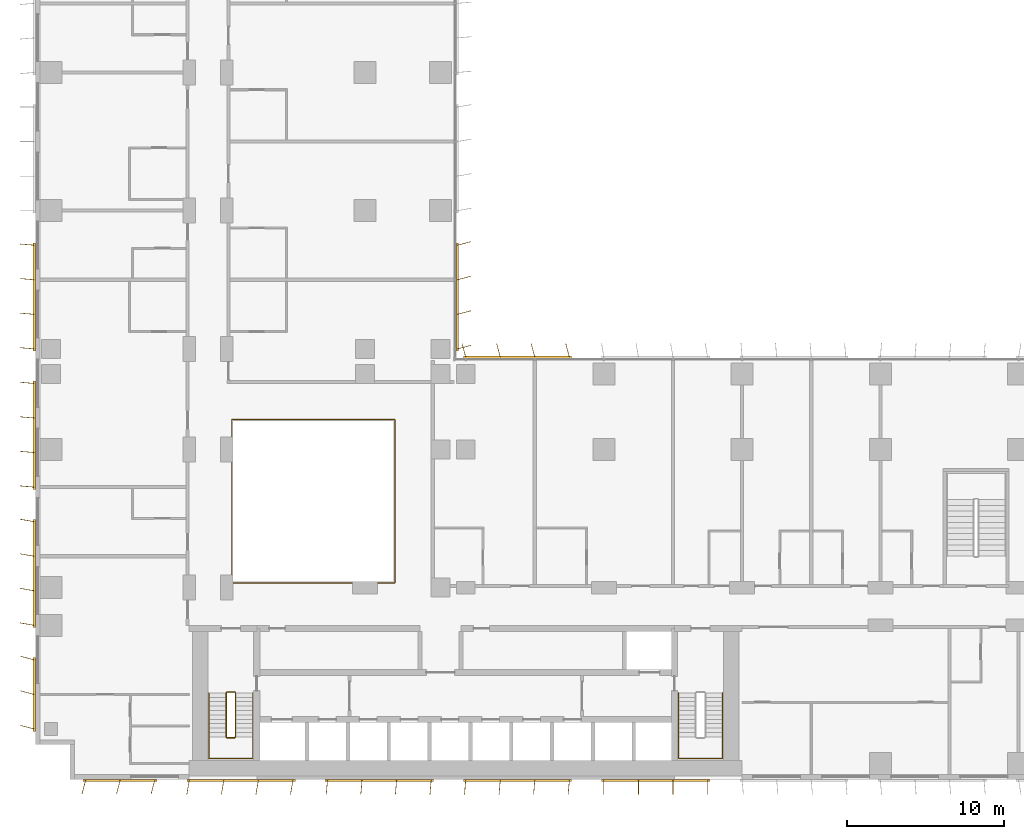
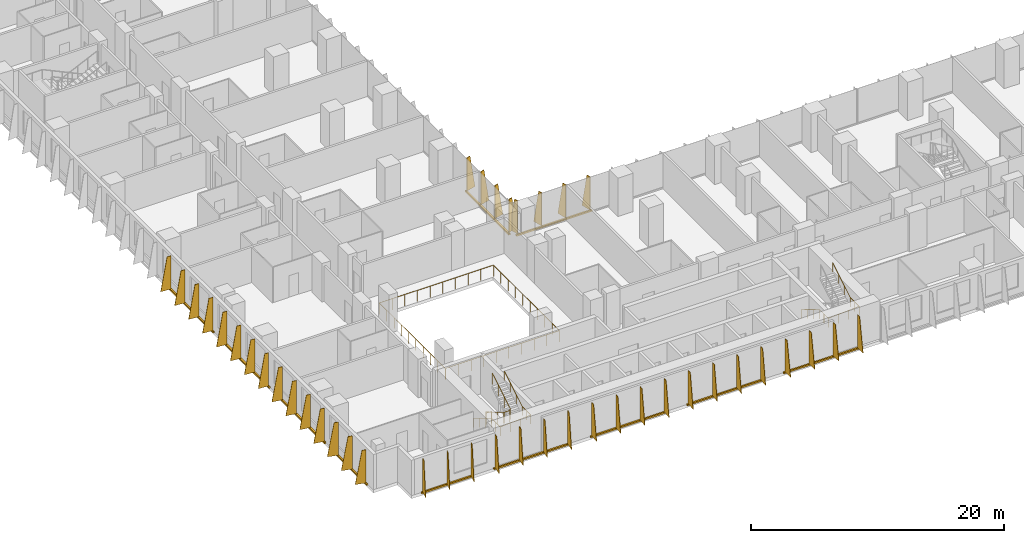
# One storey, part 21 of 24: 11 shading devices, 4 railings.
"""IFC4 building model written with IfcOpenShell, lengths in metres."""

from ifc_helpers import new_model, si_unit, direction, frame, origin, origin_2d, place, context, subcontext, project, spatial, polyline, rectangle, circle, outline, extrude, source, transform, mapped, material, layer, layer_set, type_object, element, save


model = new_model("IFC4")

# Units and contexts
model_context = context("Model", 3, precision=1e-05, world=origin(), true_north=direction((0.0, 1.0)))
body_context = subcontext(model_context, "Body", "Model", "MODEL_VIEW")
ifc_project = project(units=[si_unit("LENGTHUNIT", "METRE"), si_unit("AREAUNIT", "SQUARE_METRE"), si_unit("VOLUMEUNIT", "CUBIC_METRE"), si_unit("PLANEANGLEUNIT", "RADIAN"), si_unit("MASSUNIT", "GRAM", prefix="KILO")], contexts=[model_context])

# Site, building, storey
site_placement = place(None, origin())
site = spatial("IfcSite", under=ifc_project, at=site_placement, CompositionType="ELEMENT")
building_placement = place(site_placement, origin())
building = spatial("IfcBuilding", under=site, at=building_placement, Name="Kemantara Hotel Tower", CompositionType="ELEMENT")
storey_placement = place(building_placement, frame((0.0, 0.0, 48.800048828125)))
storey = spatial("IfcBuildingStorey", under=building, at=storey_placement, Name="L10", CompositionType="ELEMENT", Elevation=48.800048828125)

# Railings
ifc_material_1 = material(Name="Stainless steel and laminated glass balustrade", Category="steel")
railing_type_1 = type_object("IfcRailingType", Name="ATRIUM GUARD 1100", PredefinedType="GUARDRAIL", material=ifc_material_1)
railing_1_placement = place(storey_placement, frame((12.56005859375, 12.5, 0.0)))
element("IfcRailing", 1, at=railing_1_placement, inside=storey, type_object=railing_type_1, Name="ATRIUM GUARD L10", PredefinedType="GUARDRAIL", context=body_context, shape_type="SweptSolid", body=[
    extrude(circle(Radius=0.02490234375, at=origin_2d()), frame((0.0, 0.0, 1.0751953125), z_axis=(1.0, 0.0, 0.0), x_axis=(0.0, 1.0, 0.0)), (0.0, 0.0, 1.0), 10.33984375),
    extrude(circle(Radius=0.02490234375, at=origin_2d()), frame((10.33984375, 0.0, 1.0751953125), z_axis=(0.0, 1.0, 0.0), x_axis=(-1.0, 0.0, 0.0)), (0.0, 0.0, 1.0), 10.39990234375),
    extrude(circle(Radius=0.02490234375, at=origin_2d()), frame((10.33984375, 10.39990234375, 1.0751953125), z_axis=(-1.0, 0.0, 0.0), x_axis=(0.0, -1.0, 0.0)), (0.0, 0.0, 1.0), 10.39990234375),
    extrude(circle(Radius=0.02490234375, at=origin_2d()), frame((-0.06005859375, 10.39990234375, 1.0751953125), z_axis=(0.0, -1.0, 0.0), x_axis=(1.0, 0.0, 0.0)), (0.0, 0.0, 1.0), 10.39990234375),
    extrude(circle(Radius=0.02001953125, at=origin_2d()), origin(), (0.0, 0.0, 1.0), 1.050048828125),
    extrude(circle(Radius=0.02001953125, at=origin_2d()), frame((1.14892578125, 0.0, 0.0)), (0.0, 0.0, 1.0), 1.050048828125),
    extrude(circle(Radius=0.02001953125, at=origin_2d()), frame((2.2978515625, 0.0, 0.0)), (0.0, 0.0, 1.0), 1.050048828125),
    extrude(circle(Radius=0.02001953125, at=origin_2d()), frame((3.446533203125, 0.0, 0.0)), (0.0, 0.0, 1.0), 1.050048828125),
    extrude(circle(Radius=0.02001953125, at=origin_2d()), frame((4.595458984375, 0.0, 0.0)), (0.0, 0.0, 1.0), 1.050048828125),
    extrude(circle(Radius=0.02001953125, at=origin_2d()), frame((5.744384765625, 0.0, 0.0)), (0.0, 0.0, 1.0), 1.050048828125),
    extrude(circle(Radius=0.02001953125, at=origin_2d()), frame((6.893310546875, 0.0, 0.0)), (0.0, 0.0, 1.0), 1.050048828125),
    extrude(circle(Radius=0.02001953125, at=origin_2d()), frame((8.0419921875, 0.0, 0.0)), (0.0, 0.0, 1.0), 1.050048828125),
    extrude(circle(Radius=0.02001953125, at=origin_2d()), frame((9.19091796875, 0.0, 0.0)), (0.0, 0.0, 1.0), 1.050048828125),
    extrude(circle(Radius=0.02001953125, at=origin_2d()), frame((10.33984375, 0.0, 0.0)), (0.0, 0.0, 1.0), 1.050048828125),
    extrude(circle(Radius=0.02001953125, at=origin_2d()), frame((10.33984375, 1.155517578125, 0.0)), (0.0, 0.0, 1.0), 1.050048828125),
    extrude(circle(Radius=0.02001953125, at=origin_2d()), frame((10.33984375, 2.31103515625, 0.0)), (0.0, 0.0, 1.0), 1.050048828125),
    extrude(circle(Radius=0.02001953125, at=origin_2d()), frame((10.33984375, 3.466552734375, 0.0)), (0.0, 0.0, 1.0), 1.050048828125),
    extrude(circle(Radius=0.02001953125, at=origin_2d()), frame((10.33984375, 4.6220703125, 0.0)), (0.0, 0.0, 1.0), 1.050048828125),
    extrude(circle(Radius=0.02001953125, at=origin_2d()), frame((10.33984375, 5.77783203125, 0.0)), (0.0, 0.0, 1.0), 1.050048828125),
    extrude(circle(Radius=0.02001953125, at=origin_2d()), frame((10.33984375, 6.933349609375, 0.0)), (0.0, 0.0, 1.0), 1.050048828125),
    extrude(circle(Radius=0.02001953125, at=origin_2d()), frame((10.33984375, 8.0888671875, 0.0)), (0.0, 0.0, 1.0), 1.050048828125),
    extrude(circle(Radius=0.02001953125, at=origin_2d()), frame((10.33984375, 9.244384765625, 0.0)), (0.0, 0.0, 1.0), 1.050048828125),
    extrude(circle(Radius=0.02001953125, at=origin_2d()), frame((10.33984375, 10.39990234375, 0.0)), (0.0, 0.0, 1.0), 1.050048828125),
    extrude(circle(Radius=0.02001953125, at=origin_2d()), frame((9.184326171875, 10.39990234375, 0.0)), (0.0, 0.0, 1.0), 1.050048828125),
    extrude(circle(Radius=0.02001953125, at=origin_2d()), frame((8.02880859375, 10.39990234375, 0.0)), (0.0, 0.0, 1.0), 1.050048828125),
    extrude(circle(Radius=0.02001953125, at=origin_2d()), frame((6.873291015625, 10.39990234375, 0.0)), (0.0, 0.0, 1.0), 1.050048828125),
    extrude(circle(Radius=0.02001953125, at=origin_2d()), frame((5.7177734375, 10.39990234375, 0.0)), (0.0, 0.0, 1.0), 1.050048828125),
    extrude(circle(Radius=0.02001953125, at=origin_2d()), frame((4.56201171875, 10.39990234375, 0.0)), (0.0, 0.0, 1.0), 1.050048828125),
    extrude(circle(Radius=0.02001953125, at=origin_2d()), frame((3.406494140625, 10.39990234375, 0.0)), (0.0, 0.0, 1.0), 1.050048828125),
    extrude(circle(Radius=0.02001953125, at=origin_2d()), frame((2.2509765625, 10.39990234375, 0.0)), (0.0, 0.0, 1.0), 1.050048828125),
    extrude(circle(Radius=0.02001953125, at=origin_2d()), frame((1.095458984375, 10.39990234375, 0.0)), (0.0, 0.0, 1.0), 1.050048828125),
    extrude(circle(Radius=0.02001953125, at=origin_2d()), frame((-0.06005859375, 10.39990234375, 0.0)), (0.0, 0.0, 1.0), 1.050048828125),
    extrude(circle(Radius=0.02001953125, at=origin_2d()), frame((-0.06005859375, 9.244384765625, 0.0)), (0.0, 0.0, 1.0), 1.050048828125),
    extrude(circle(Radius=0.02001953125, at=origin_2d()), frame((-0.06005859375, 8.0888671875, 0.0)), (0.0, 0.0, 1.0), 1.050048828125),
    extrude(circle(Radius=0.02001953125, at=origin_2d()), frame((-0.06005859375, 6.933349609375, 0.0)), (0.0, 0.0, 1.0), 1.050048828125),
    extrude(circle(Radius=0.02001953125, at=origin_2d()), frame((-0.06005859375, 5.77783203125, 0.0)), (0.0, 0.0, 1.0), 1.050048828125),
    extrude(circle(Radius=0.02001953125, at=origin_2d()), frame((-0.06005859375, 4.6220703125, 0.0)), (0.0, 0.0, 1.0), 1.050048828125),
    extrude(circle(Radius=0.02001953125, at=origin_2d()), frame((-0.06005859375, 3.466552734375, 0.0)), (0.0, 0.0, 1.0), 1.050048828125),
    extrude(circle(Radius=0.02001953125, at=origin_2d()), frame((-0.06005859375, 2.31103515625, 0.0)), (0.0, 0.0, 1.0), 1.050048828125),
    extrude(circle(Radius=0.02001953125, at=origin_2d()), frame((-0.06005859375, 1.155517578125, 0.0)), (0.0, 0.0, 1.0), 1.050048828125),
    extrude(circle(Radius=0.02001953125, at=origin_2d()), frame((-0.06005859375, 0.0, 0.0)), (0.0, 0.0, 1.0), 1.050048828125),
])
ifc_material_2 = material(Name="Stainless steel balustrade", Category="steel")
railing_type_2 = type_object("IfcRailingType", Name="Stair guard 1100 mm", PredefinedType="GUARDRAIL", material=ifc_material_2)
railing_2_placement = place(storey_placement, frame((12.75, 5.5, 3.699951171875)))
element("IfcRailing", 2, at=railing_2_placement, inside=storey, type_object=railing_type_2, Name="L10 ST1 stair guard 1", PredefinedType="GUARDRAIL", context=body_context, shape_type="SweptSolid", body=[
    extrude(circle(Radius=0.02392578125, at=origin_2d()), frame((0.0, 0.0, 1.076171875), z_axis=(0.0, -0.857242210791, -0.514913383045), x_axis=(1.0, 0.0, 0.0)), (0.0, 0.0, 1.0), 3.266357421875),
    extrude(circle(Radius=0.02392578125, at=origin_2d()), frame((0.0, -2.800048828125, -0.60595703125), z_axis=(-0.274243871929, -0.274243871929, -0.92172696468), x_axis=(0.707106781187, -0.707106781187, 0.0)), (0.0, 0.0, 1.0), 0.1826171875),
    extrude(circle(Radius=0.02392578125, at=origin_2d()), frame((-0.050048828125, -2.85009765625, -0.77392578125), z_axis=(-1.0, 0.0, 0.0), x_axis=(0.0, -1.0, 0.0)), (0.0, 0.0, 1.0), 0.5),
    extrude(circle(Radius=0.02392578125, at=origin_2d()), frame((-0.550048828125, -2.85009765625, -0.77392578125), z_axis=(-0.707106781187, 0.707106781187, 0.0), x_axis=(-0.707106781187, -0.707106781187, 0.0)), (0.0, 0.0, 1.0), 0.07080078125),
    extrude(circle(Radius=0.02392578125, at=origin_2d()), frame((-0.60009765625, -2.800048828125, -0.77392578125), z_axis=(0.0, 0.857275202839, -0.514858452973), x_axis=(-1.0, 0.0, 0.0)), (0.0, 0.0, 1.0), 3.26611328125),
    extrude(circle(Radius=0.02392578125, at=origin_2d()), frame((-0.60009765625, 0.0, -2.45556640625), z_axis=(0.274243871929, 0.274243871929, -0.92172696468), x_axis=(-0.707106781187, 0.707106781187, 0.0)), (0.0, 0.0, 1.0), 0.1826171875),
    extrude(circle(Radius=0.02392578125, at=origin_2d()), frame((-0.550048828125, 0.050048828125, -2.6240234375), z_axis=(1.0, 0.0, 0.0), x_axis=(0.0, 1.0, 0.0)), (0.0, 0.0, 1.0), 0.5),
    extrude(circle(Radius=0.02099609375, at=origin_2d()), origin(), (0.0, 0.0, 1.0), 1.052001953125),
    extrude(circle(Radius=0.02099609375, at=origin_2d()), frame((0.0, -0.933349609375, -0.560546875)), (0.0, 0.0, 1.0), 1.052001953125),
    extrude(circle(Radius=0.02099609375, at=origin_2d()), frame((0.0, -1.86669921875, -1.121337890625)), (0.0, 0.0, 1.0), 1.052001953125),
    extrude(circle(Radius=0.02099609375, at=origin_2d()), frame((0.0, -2.800048828125, -1.681884765625)), (0.0, 0.0, 1.0), 1.052001953125),
    extrude(circle(Radius=0.02099609375, at=origin_2d()), frame((-0.050048828125, -2.85009765625, -1.85009765625)), (0.0, 0.0, 1.0), 1.052001953125),
    extrude(circle(Radius=0.02099609375, at=origin_2d()), frame((-0.550048828125, -2.85009765625, -1.85009765625)), (0.0, 0.0, 1.0), 1.052001953125),
    extrude(circle(Radius=0.02099609375, at=origin_2d()), frame((-0.60009765625, -2.800048828125, -1.85009765625)), (0.0, 0.0, 1.0), 1.052001953125),
    extrude(circle(Radius=0.02099609375, at=origin_2d()), frame((-0.60009765625, -1.86669921875, -2.41064453125)), (0.0, 0.0, 1.0), 1.052001953125),
    extrude(circle(Radius=0.02099609375, at=origin_2d()), frame((-0.60009765625, -0.933349609375, -2.97119140625)), (0.0, 0.0, 1.0), 1.052001953125),
    extrude(circle(Radius=0.02099609375, at=origin_2d()), frame((-0.60009765625, 0.0, -3.53173828125)), (0.0, 0.0, 1.0), 1.052001953125),
    extrude(circle(Radius=0.02099609375, at=origin_2d()), frame((-0.550048828125, 0.050048828125, -3.699951171875)), (0.0, 0.0, 1.0), 1.052001953125),
    extrude(circle(Radius=0.02099609375, at=origin_2d()), frame((-0.050048828125, 0.050048828125, -3.699951171875)), (0.0, 0.0, 1.0), 1.052001953125),
])
railing_type_3 = type_object("IfcRailingType", Name="Stair handrail 900 mm", PredefinedType="HANDRAIL", material=ifc_material_2)
railing_3_placement = place(storey_placement, frame((11.050048828125, 5.5, 0.168212890625)))
element("IfcRailing", 3, at=railing_3_placement, inside=storey, type_object=railing_type_3, Name="L10 ST1 stair handrail 1", PredefinedType="HANDRAIL", context=body_context, shape_type="SweptSolid", body=[
    extrude(circle(Radius=0.02392578125, at=origin_2d()), frame((0.0, 0.0, 0.8759765625), z_axis=(0.0, -0.857275202839, 0.514858452973), x_axis=(1.0, 0.0, 0.0)), (0.0, 0.0, 1.0), 3.26611328125),
    extrude(circle(Radius=0.02392578125, at=origin_2d()), frame((0.0, -2.800048828125, 2.5576171875), z_axis=(0.0, -1.0, 0.0), x_axis=(1.0, 0.0, 0.0)), (0.0, 0.0, 1.0), 1.3798828125),
    extrude(circle(Radius=0.02392578125, at=origin_2d()), frame((0.0, -4.179931640625, 2.5576171875), z_axis=(0.998200367801, 0.0, 0.059966871865), x_axis=(0.0, 1.0, 0.0)), (0.0, 0.0, 1.0), 2.80517578125),
    extrude(circle(Radius=0.02392578125, at=origin_2d()), frame((2.800048828125, -4.179931640625, 2.7255859375), z_axis=(0.0, 1.0, 0.0), x_axis=(-1.0, 0.0, 0.0)), (0.0, 0.0, 1.0), 1.3798828125),
    extrude(circle(Radius=0.02392578125, at=origin_2d()), frame((2.800048828125, -2.800048828125, 2.7255859375), z_axis=(0.0, 0.857242210791, 0.514913383045), x_axis=(-1.0, 0.0, 0.0)), (0.0, 0.0, 1.0), 3.266357421875),
    extrude(circle(Radius=0.02099609375, at=origin_2d()), origin(), (0.0, 0.0, 1.0), 0.851806640625),
    extrude(circle(Radius=0.02099609375, at=origin_2d()), frame((0.0, -0.933349609375, 0.560546875)), (0.0, 0.0, 1.0), 0.851806640625),
    extrude(circle(Radius=0.02099609375, at=origin_2d()), frame((0.0, -1.86669921875, 1.12109375)), (0.0, 0.0, 1.0), 0.851806640625),
    extrude(circle(Radius=0.02099609375, at=origin_2d()), frame((0.0, -2.800048828125, 1.681640625)), (0.0, 0.0, 1.0), 0.851806640625),
    extrude(circle(Radius=0.02099609375, at=origin_2d()), frame((0.0, -3.489990234375, 1.681640625)), (0.0, 0.0, 1.0), 0.851806640625),
    extrude(circle(Radius=0.02099609375, at=origin_2d()), frame((0.0, -4.179931640625, 1.681640625)), (0.0, 0.0, 1.0), 0.851806640625),
    extrude(circle(Radius=0.02099609375, at=origin_2d()), frame((0.933349609375, -4.179931640625, 1.73779296875)), (0.0, 0.0, 1.0), 0.851806640625),
    extrude(circle(Radius=0.02099609375, at=origin_2d()), frame((1.86669921875, -4.179931640625, 1.793701171875)), (0.0, 0.0, 1.0), 0.851806640625),
    extrude(circle(Radius=0.02099609375, at=origin_2d()), frame((2.800048828125, -4.179931640625, 1.849853515625)), (0.0, 0.0, 1.0), 0.851806640625),
    extrude(circle(Radius=0.02099609375, at=origin_2d()), frame((2.800048828125, -3.489990234375, 1.849853515625)), (0.0, 0.0, 1.0), 0.851806640625),
    extrude(circle(Radius=0.02099609375, at=origin_2d()), frame((2.800048828125, -2.800048828125, 1.849853515625)), (0.0, 0.0, 1.0), 0.851806640625),
    extrude(circle(Radius=0.02099609375, at=origin_2d()), frame((2.800048828125, -1.86669921875, 2.410400390625)), (0.0, 0.0, 1.0), 0.851806640625),
    extrude(circle(Radius=0.02099609375, at=origin_2d()), frame((2.800048828125, -0.933349609375, 2.97119140625)), (0.0, 0.0, 1.0), 0.851806640625),
    extrude(circle(Radius=0.02099609375, at=origin_2d()), frame((2.800048828125, 0.0, 3.53173828125)), (0.0, 0.0, 1.0), 0.851806640625),
])
railing_4_placement = place(storey_placement, frame((40.949951171875, 5.5, 0.168212890625)))
element("IfcRailing", 4, at=railing_4_placement, inside=storey, type_object=railing_type_3, Name="L10 ST2 stair handrail 1", PredefinedType="HANDRAIL", context=body_context, shape_type="SweptSolid", body=[
    extrude(circle(Radius=0.02392578125, at=origin_2d()), frame((0.0, 0.0, 0.8759765625), z_axis=(0.0, -0.857275202839, 0.514858452973), x_axis=(1.0, 0.0, 0.0)), (0.0, 0.0, 1.0), 3.26611328125),
    extrude(circle(Radius=0.02392578125, at=origin_2d()), frame((0.0, -2.800048828125, 2.5576171875), z_axis=(0.0, -1.0, 0.0), x_axis=(1.0, 0.0, 0.0)), (0.0, 0.0, 1.0), 1.3798828125),
    extrude(circle(Radius=0.02392578125, at=origin_2d()), frame((0.0, -4.179931640625, 2.5576171875), z_axis=(0.998200367801, 0.0, 0.059966871865), x_axis=(0.0, 1.0, 0.0)), (0.0, 0.0, 1.0), 2.80517578125),
    extrude(circle(Radius=0.02392578125, at=origin_2d()), frame((2.800048828125, -4.179931640625, 2.7255859375), z_axis=(0.0, 1.0, 0.0), x_axis=(-1.0, 0.0, 0.0)), (0.0, 0.0, 1.0), 1.3798828125),
    extrude(circle(Radius=0.02392578125, at=origin_2d()), frame((2.800048828125, -2.800048828125, 2.7255859375), z_axis=(0.0, 0.857242210791, 0.514913383045), x_axis=(-1.0, 0.0, 0.0)), (0.0, 0.0, 1.0), 3.266357421875),
    extrude(circle(Radius=0.02099609375, at=origin_2d()), origin(), (0.0, 0.0, 1.0), 0.851806640625),
    extrude(circle(Radius=0.02099609375, at=origin_2d()), frame((0.0, -0.933349609375, 0.560546875)), (0.0, 0.0, 1.0), 0.851806640625),
    extrude(circle(Radius=0.02099609375, at=origin_2d()), frame((0.0, -1.86669921875, 1.12109375)), (0.0, 0.0, 1.0), 0.851806640625),
    extrude(circle(Radius=0.02099609375, at=origin_2d()), frame((0.0, -2.800048828125, 1.681640625)), (0.0, 0.0, 1.0), 0.851806640625),
    extrude(circle(Radius=0.02099609375, at=origin_2d()), frame((0.0, -3.489990234375, 1.681640625)), (0.0, 0.0, 1.0), 0.851806640625),
    extrude(circle(Radius=0.02099609375, at=origin_2d()), frame((0.0, -4.179931640625, 1.681640625)), (0.0, 0.0, 1.0), 0.851806640625),
    extrude(circle(Radius=0.02099609375, at=origin_2d()), frame((0.933349609375, -4.179931640625, 1.73779296875)), (0.0, 0.0, 1.0), 0.851806640625),
    extrude(circle(Radius=0.02099609375, at=origin_2d()), frame((1.86669921875, -4.179931640625, 1.793701171875)), (0.0, 0.0, 1.0), 0.851806640625),
    extrude(circle(Radius=0.02099609375, at=origin_2d()), frame((2.800048828125, -4.179931640625, 1.849853515625)), (0.0, 0.0, 1.0), 0.851806640625),
    extrude(circle(Radius=0.02099609375, at=origin_2d()), frame((2.800048828125, -3.489990234375, 1.849853515625)), (0.0, 0.0, 1.0), 0.851806640625),
    extrude(circle(Radius=0.02099609375, at=origin_2d()), frame((2.800048828125, -2.800048828125, 1.849853515625)), (0.0, 0.0, 1.0), 0.851806640625),
    extrude(circle(Radius=0.02099609375, at=origin_2d()), frame((2.800048828125, -1.86669921875, 2.410400390625)), (0.0, 0.0, 1.0), 0.851806640625),
    extrude(circle(Radius=0.02099609375, at=origin_2d()), frame((2.800048828125, -0.933349609375, 2.97119140625)), (0.0, 0.0, 1.0), 0.851806640625),
    extrude(circle(Radius=0.02099609375, at=origin_2d()), frame((2.800048828125, 0.0, 3.53173828125)), (0.0, 0.0, 1.0), 0.851806640625),
])

# Shading devices
ifc_material_3 = material(Name="Perforated aluminium plate 4 mm bronze anodised", Category="aluminium")
ifc_layer_1 = layer(ifc_material_3, 0.0400390625)
ifc_layer_set_1 = layer_set([ifc_layer_1], Name="Perforated aluminium plate 4 mm bronze anodised")
shading_device_type_1 = type_object("IfcShadingDeviceType", Name="SCREEN FIN CASSETTE, 3 BLADES AT -15.0 DEG, 3200 HIGH", PredefinedType="USERDEFINED", material=ifc_layer_set_1)
shared_shape_1 = source(origin(), body_context, "Body", "SweptSolid", [
    extrude(rectangle(XDim=4.699951171875, YDim=0.14990234375, at=origin_2d()), frame((2.199951171875, -0.074951171875, -0.14990234375), z_axis=(0.0, 0.0, 1.0), x_axis=(1.0, 0.0, 0.0)), (0.0, 0.0, 1.0), 0.14990234375),
    extrude(outline(polyline([(0.0, 0.0), (0.89990234375, 0.0), (0.35009765625, 3.199951171875), (0.0, 3.199951171875), (0.0, 0.0)])), frame((0.019287109375, -0.080078125, 0.0), z_axis=(-0.966437683387, 0.256901156343, 0.0), x_axis=(-0.256901156343, -0.966437683387, 0.0)), (0.0, 0.0, 1.0), 0.039794921875),
    extrude(outline(polyline([(0.0, 0.0), (0.89990234375, 0.0), (0.35009765625, 3.199951171875), (0.0, 3.199951171875), (0.0, 0.0)])), frame((2.21923828125, -0.080078125, 0.0), z_axis=(-0.966437683387, 0.256901156343, 0.0), x_axis=(-0.256901156343, -0.966437683387, 0.0)), (0.0, 0.0, 1.0), 0.039794921875),
    extrude(outline(polyline([(0.0, 0.0), (0.89990234375, 0.0), (0.35009765625, 3.199951171875), (0.0, 3.199951171875), (0.0, 0.0)])), frame((4.41943359375, -0.080078125, 0.0), z_axis=(-0.966837822169, 0.255391122837, 0.0), x_axis=(-0.255391122837, -0.966837822169, 0.0)), (0.0, 0.0, 1.0), 0.0400390625),
])
for number, where, z_axis, x_axis, name in (
    (5, (3.199951171875, 0.0, 0.099853515625), (0.0, 0.0, 1.0), (1.0, 0.0, 0.0), "SCREEN FIN CASSETTE L10 T1-R01-1"),
    (6, (0.0, 7.60009765625, 0.099853515625), (0.0, 0.0, 1.0), (0.0, -1.0, 0.0), "SCREEN FIN CASSETTE L10 T1-R14-9"),
):
    element("IfcShadingDevice", number, at=place(storey_placement, frame(where, z_axis=z_axis, x_axis=x_axis)), inside=storey, type_object=shading_device_type_1, Name=name, ObjectType="SCREEN FIN", PredefinedType="USERDEFINED", context=body_context, shape_type="MappedRepresentation", body=[
        mapped(shared_shape_1, transform((0.0, 0.0, 0.0))),
    ])
ifc_layer_2 = layer(ifc_material_3, 0.0400390625)
ifc_layer_set_2 = layer_set([ifc_layer_2], Name="Perforated aluminium plate 4 mm bronze anodised")
shading_device_type_2 = type_object("IfcShadingDeviceType", Name="SCREEN FIN CASSETTE, 4 BLADES AT -10.0 DEG, 3200 HIGH", PredefinedType="USERDEFINED", material=ifc_layer_set_2)
shared_shape_2 = source(origin(), body_context, "Body", "SweptSolid", [
    extrude(rectangle(XDim=6.89990234375, YDim=0.14990234375, at=origin_2d()), frame((3.300048828125, -0.074951171875, -0.14990234375), z_axis=(0.0, 0.0, 1.0), x_axis=(1.0, 0.0, 0.0)), (0.0, 0.0, 1.0), 0.14990234375),
    extrude(outline(polyline([(0.0, 0.0), (0.89990234375, 0.0), (0.35009765625, 3.199951171875), (0.0, 3.199951171875), (0.0, 0.0)])), frame((0.019775390625, -0.078369140625, 0.0), z_axis=(-0.985389793052, 0.170314285219, 0.0), x_axis=(-0.170314285219, -0.985389793052, 0.0)), (0.0, 0.0, 1.0), 0.0400390625),
    extrude(outline(polyline([(0.0, 0.0), (0.89990234375, 0.0), (0.35009765625, 3.199951171875), (0.0, 3.199951171875), (0.0, 0.0)])), frame((2.2197265625, -0.078369140625, 0.0), z_axis=(-0.98521175482, 0.171341174751, 0.0), x_axis=(-0.171341174751, -0.98521175482, 0.0)), (0.0, 0.0, 1.0), 0.039794921875),
    extrude(outline(polyline([(0.0, 0.0), (0.89990234375, 0.0), (0.35009765625, 3.199951171875), (0.0, 3.199951171875), (0.0, 0.0)])), frame((4.419677734375, -0.078369140625, 0.0), z_axis=(-0.98521175482, 0.171341174751, 0.0), x_axis=(-0.171341174751, -0.98521175482, 0.0)), (0.0, 0.0, 1.0), 0.039794921875),
    extrude(outline(polyline([(0.0, 0.0), (0.89990234375, 0.0), (0.35009765625, 3.199951171875), (0.0, 3.199951171875), (0.0, 0.0)])), frame((6.61962890625, -0.078369140625, 0.0), z_axis=(-0.98521175482, 0.171341174751, 0.0), x_axis=(-0.171341174751, -0.98521175482, 0.0)), (0.0, 0.0, 1.0), 0.039794921875),
])
for number, where, z_axis, x_axis, name in (
    (7, (9.800048828125, 0.0, 0.099853515625), (0.0, 0.0, 1.0), (1.0, 0.0, 0.0), "SCREEN FIN CASSETTE L10 T1-R01-2"),
    (8, (0.0, 16.39990234375, 0.099853515625), (0.0, 0.0, 1.0), (0.0, -1.0, 0.0), "SCREEN FIN CASSETTE L10 T1-R14-8"),
):
    element("IfcShadingDevice", number, at=place(storey_placement, frame(where, z_axis=z_axis, x_axis=x_axis)), inside=storey, type_object=shading_device_type_2, Name=name, ObjectType="SCREEN FIN", PredefinedType="USERDEFINED", context=body_context, shape_type="MappedRepresentation", body=[
        mapped(shared_shape_2, transform((0.0, 0.0, 0.0))),
    ])
ifc_layer_3 = layer(ifc_material_3, 0.0400390625)
ifc_layer_set_3 = layer_set([ifc_layer_3], Name="Perforated aluminium plate 4 mm bronze anodised")
shading_device_type_3 = type_object("IfcShadingDeviceType", Name="SCREEN FIN CASSETTE, 4 BLADES AT -5.0 DEG, 3200 HIGH", PredefinedType="USERDEFINED", material=ifc_layer_set_3)
shared_shape_3 = source(origin(), body_context, "Body", "SweptSolid", [
    extrude(rectangle(XDim=6.89990234375, YDim=0.14990234375, at=origin_2d()), frame((3.300048828125, -0.074951171875, -0.14990234375), z_axis=(0.0, 0.0, 1.0), x_axis=(1.0, 0.0, 0.0)), (0.0, 0.0, 1.0), 0.14990234375),
    extrude(outline(polyline([(0.0, 0.0), (0.89990234375, 0.0), (0.35009765625, 3.199951171875), (0.0, 3.199951171875), (0.0, 0.0)])), frame((0.02001953125, -0.07666015625, 0.0), z_axis=(-0.996376129781, 0.085056498884, 0.0), x_axis=(-0.085056498884, -0.996376129781, 0.0)), (0.0, 0.0, 1.0), 0.040283203125),
    extrude(outline(polyline([(0.0, 0.0), (0.89990234375, 0.0), (0.35009765625, 3.199951171875), (0.0, 3.199951171875), (0.0, 0.0)])), frame((2.219970703125, -0.07666015625, 0.0), z_axis=(-0.996331773833, 0.085574508182, 0.0), x_axis=(-0.085574508182, -0.996331773833, 0.0)), (0.0, 0.0, 1.0), 0.0400390625),
    extrude(outline(polyline([(0.0, 0.0), (0.89990234375, 0.0), (0.35009765625, 3.199951171875), (0.0, 3.199951171875), (0.0, 0.0)])), frame((4.419921875, -0.07666015625, 0.0), z_axis=(-0.996331773833, 0.085574508182, 0.0), x_axis=(-0.085574508182, -0.996331773833, 0.0)), (0.0, 0.0, 1.0), 0.0400390625),
    extrude(outline(polyline([(0.0, 0.0), (0.89990234375, 0.0), (0.35009765625, 3.199951171875), (0.0, 3.199951171875), (0.0, 0.0)])), frame((6.619873046875, -0.07666015625, 0.0), z_axis=(-0.996331773833, 0.085574508182, 0.0), x_axis=(-0.085574508182, -0.996331773833, 0.0)), (0.0, 0.0, 1.0), 0.0400390625),
])
for number, where, z_axis, x_axis, name in (
    (9, (18.60009765625, 0.0, 0.099853515625), (0.0, 0.0, 1.0), (1.0, 0.0, 0.0), "SCREEN FIN CASSETTE L10 T1-R01-3"),
    (10, (27.39990234375, 0.0, 0.099853515625), (0.0, 0.0, 1.0), (1.0, 0.0, 0.0), "SCREEN FIN CASSETTE L10 T1-R01-4"),
    (11, (0.0, 34.0, 0.099853515625), (0.0, 0.0, 1.0), (0.0, -1.0, 0.0), "SCREEN FIN CASSETTE L10 T1-R14-6"),
    (12, (0.0, 25.199951171875, 0.099853515625), (0.0, 0.0, 1.0), (0.0, -1.0, 0.0), "SCREEN FIN CASSETTE L10 T1-R14-7"),
):
    element("IfcShadingDevice", number, at=place(storey_placement, frame(where, z_axis=z_axis, x_axis=x_axis)), inside=storey, type_object=shading_device_type_3, Name=name, ObjectType="SCREEN FIN", PredefinedType="USERDEFINED", context=body_context, shape_type="MappedRepresentation", body=[
        mapped(shared_shape_3, transform((0.0, 0.0, 0.0))),
    ])
ifc_layer_4 = layer(ifc_material_3, 0.0400390625)
ifc_layer_set_4 = layer_set([ifc_layer_4], Name="Perforated aluminium plate 4 mm bronze anodised")
shading_device_type_4 = type_object("IfcShadingDeviceType", Name="SCREEN FIN CASSETTE, 4 BLADES AT +0.0 DEG, 3200 HIGH", PredefinedType="USERDEFINED", material=ifc_layer_set_4)
shared_shape_4 = source(origin(), body_context, "Body", "SweptSolid", [
    extrude(rectangle(XDim=6.89990234375, YDim=0.14990234375, at=origin_2d()), frame((3.300048828125, -0.074951171875, -0.14990234375), z_axis=(0.0, 0.0, 1.0), x_axis=(1.0, 0.0, 0.0)), (0.0, 0.0, 1.0), 0.14990234375),
    extrude(outline(polyline([(0.0, 0.0), (0.89990234375, 0.0), (0.35009765625, 3.199951171875), (0.0, 3.199951171875), (0.0, 0.0)])), frame((0.02001953125, -0.074951171875, 0.0), z_axis=(-1.0, 0.0, 0.0), x_axis=(0.0, -1.0, 0.0)), (0.0, 0.0, 1.0), 0.0400390625),
    extrude(outline(polyline([(0.0, 0.0), (0.89990234375, 0.0), (0.35009765625, 3.199951171875), (0.0, 3.199951171875), (0.0, 0.0)])), frame((2.219970703125, -0.074951171875, 0.0), z_axis=(-1.0, 0.0, 0.0), x_axis=(0.0, -1.0, 0.0)), (0.0, 0.0, 1.0), 0.0400390625),
    extrude(outline(polyline([(0.0, 0.0), (0.89990234375, 0.0), (0.35009765625, 3.199951171875), (0.0, 3.199951171875), (0.0, 0.0)])), frame((4.419921875, -0.074951171875, 0.0), z_axis=(-1.0, 0.0, 0.0), x_axis=(0.0, -1.0, 0.0)), (0.0, 0.0, 1.0), 0.0400390625),
    extrude(outline(polyline([(0.0, 0.0), (0.89990234375, 0.0), (0.35009765625, 3.199951171875), (0.0, 3.199951171875), (0.0, 0.0)])), frame((6.6201171875, -0.074951171875, 0.0), z_axis=(-1.0, 0.0, 0.0), x_axis=(0.0, -1.0, 0.0)), (0.0, 0.0, 1.0), 0.0400390625),
])
shading_device_placement = place(storey_placement, frame((36.199951171875, 0.0, 0.099853515625), z_axis=(0.0, 0.0, 1.0), x_axis=(1.0, 0.0, 0.0)))
element("IfcShadingDevice", 13, at=shading_device_placement, inside=storey, type_object=shading_device_type_4, Name="SCREEN FIN CASSETTE L10 T1-R01-5", ObjectType="SCREEN FIN", PredefinedType="USERDEFINED", context=body_context, shape_type="MappedRepresentation", body=[
    mapped(shared_shape_4, transform((0.0, 0.0, 0.0))),
])
ifc_layer_5 = layer(ifc_material_3, 0.0400390625)
ifc_layer_set_5 = layer_set([ifc_layer_5], Name="Perforated aluminium plate 4 mm bronze anodised")
shading_device_type_5 = type_object("IfcShadingDeviceType", Name="SCREEN FIN CASSETTE, 4 BLADES AT +15.0 DEG, 3200 HIGH", PredefinedType="USERDEFINED", material=ifc_layer_set_5)
shared_shape_5 = source(origin(), body_context, "Body", "SweptSolid", [
    extrude(rectangle(XDim=6.89990234375, YDim=0.14990234375, at=origin_2d()), frame((3.300048828125, -0.074951171875, -0.14990234375), z_axis=(0.0, 0.0, 1.0), x_axis=(1.0, 0.0, 0.0)), (0.0, 0.0, 1.0), 0.14990234375),
    extrude(outline(polyline([(0.0, 0.0), (0.89990234375, 0.0), (0.35009765625, 3.199951171875), (0.0, 3.199951171875), (0.0, 0.0)])), frame((0.019287109375, -0.06982421875, 0.0), z_axis=(-0.966437683387, -0.256901156343, 0.0), x_axis=(0.256901156343, -0.966437683387, 0.0)), (0.0, 0.0, 1.0), 0.039794921875),
    extrude(outline(polyline([(0.0, 0.0), (0.89990234375, 0.0), (0.35009765625, 3.199951171875), (0.0, 3.199951171875), (0.0, 0.0)])), frame((2.21923828125, -0.06982421875, 0.0), z_axis=(-0.966437683387, -0.256901156343, 0.0), x_axis=(0.256901156343, -0.966437683387, 0.0)), (0.0, 0.0, 1.0), 0.039794921875),
    extrude(outline(polyline([(0.0, 0.0), (0.89990234375, 0.0), (0.35009765625, 3.199951171875), (0.0, 3.199951171875), (0.0, 0.0)])), frame((4.41943359375, -0.06982421875, 0.0), z_axis=(-0.966837822169, -0.255391122837, 0.0), x_axis=(0.255391122837, -0.966837822169, 0.0)), (0.0, 0.0, 1.0), 0.0400390625),
    extrude(outline(polyline([(0.0, 0.0), (0.89990234375, 0.0), (0.35009765625, 3.199951171875), (0.0, 3.199951171875), (0.0, 0.0)])), frame((6.619384765625, -0.06982421875, 0.0), z_axis=(-0.966837822169, -0.255391122837, 0.0), x_axis=(0.255391122837, -0.966837822169, 0.0)), (0.0, 0.0, 1.0), 0.0400390625),
])
for number, where, z_axis, x_axis, name in (
    (14, (34.0, 26.800048828125, 0.099853515625), (0.0, 0.0, 1.0), (-1.0, 0.0, 0.0), "SCREEN FIN CASSETTE L10 T1-R07-6"),
    (15, (26.800048828125, 27.39990234375, 0.099853515625), (0.0, 0.0, 1.0), (0.0, 1.0, 0.0), "SCREEN FIN CASSETTE L10 T1-R08-1"),
):
    element("IfcShadingDevice", number, at=place(storey_placement, frame(where, z_axis=z_axis, x_axis=x_axis)), inside=storey, type_object=shading_device_type_5, Name=name, ObjectType="SCREEN FIN", PredefinedType="USERDEFINED", context=body_context, shape_type="MappedRepresentation", body=[
        mapped(shared_shape_5, transform((0.0, 0.0, 0.0))),
    ])

save(model, "model.ifc")
